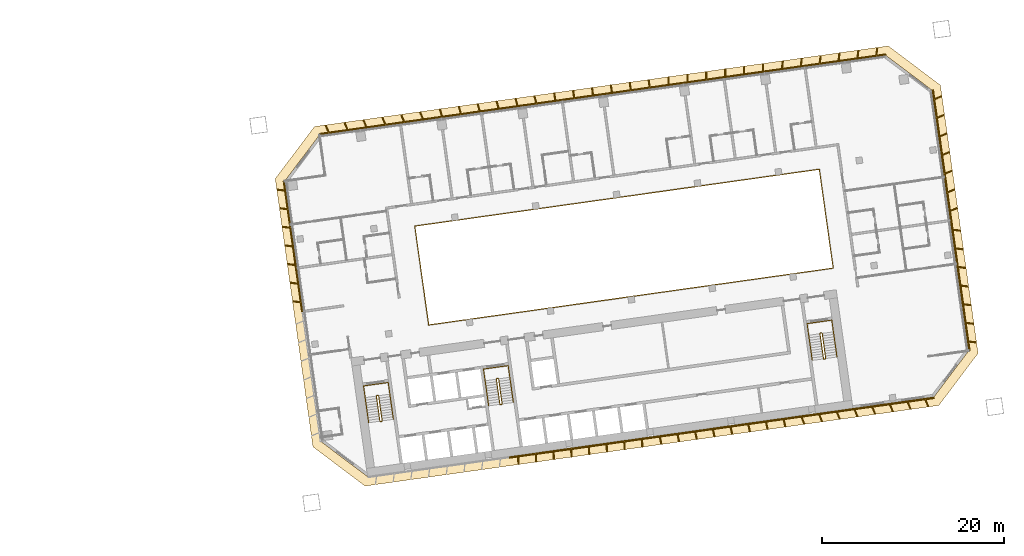
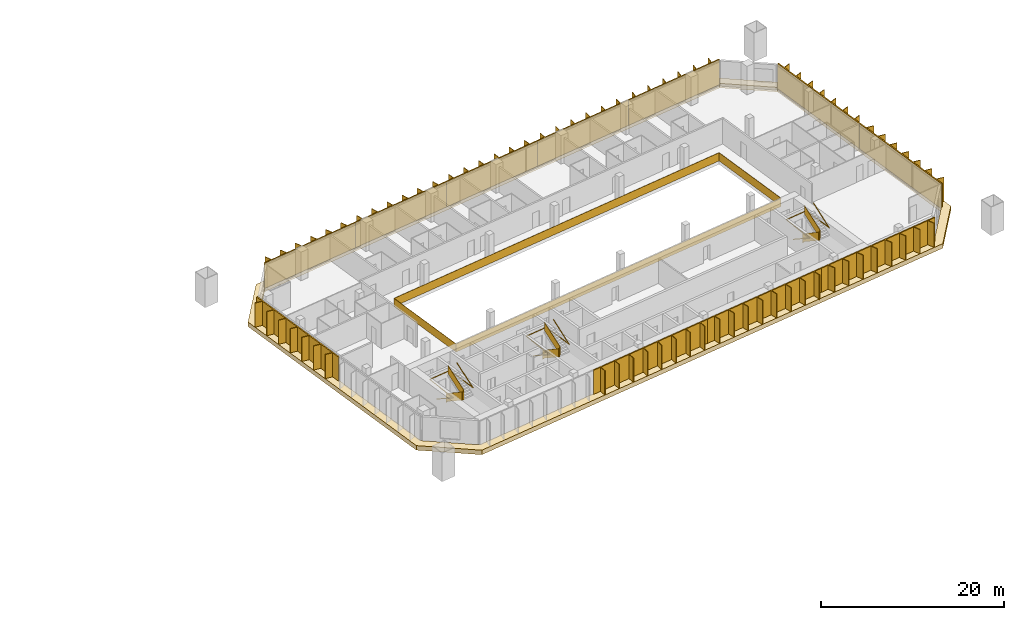
# One storey, part 24 of 24: 11 shading devices, 7 railings, 1 covering.
"""IFC4 building model written with IfcOpenShell, lengths in metres."""

import ifcopenshell
import ifcopenshell.guid

model = None  # the IFC model being written
_history = None  # IfcOwnerHistory: only IFC2X3 demands one
_inside = {}  # id of a spatial element -> (the spatial element, [elements in it])
_under = {}  # id of a project, library or spatial element -> (it, [spatial elements below it])
_declared = {}  # id of a project -> (the project, [libraries it declares])
_typed = {}  # id of a type object -> (the type object, [elements of that type])
_made_of = {}  # id of a material, layer set ... -> (it, [elements and type objects made of it])


def new_model(schema):
    """Start an empty IFC model of exactly this schema.

    Asked for "IFC4X3", IfcOpenShell would pick the latest addendum, in which some entities
    have other attributes; the version numbers below select the first issue.
    IFC2X3 requires an IfcOwnerHistory on every rooted entity: one is made here for all.
    """
    global model, _history
    if schema == "IFC4X3":
        model = ifcopenshell.file(schema_version=(4, 3, 0, 0))
    else:
        model = ifcopenshell.file(schema=schema)
    _inside.clear()
    _under.clear()
    _declared.clear()
    _typed.clear()
    _made_of.clear()
    _history = None
    if model.schema == "IFC2X3":
        org = make("IfcOrganization", Name="unknown")
        user = make(
            "IfcPersonAndOrganization",
            ThePerson=make("IfcPerson", FamilyName="unknown"),
            TheOrganization=org,
        )
        app = make(
            "IfcApplication",
            ApplicationDeveloper=org,
            Version="unknown",
            ApplicationFullName="unknown",
            ApplicationIdentifier="unknown",
        )
        _history = make(
            "IfcOwnerHistory",
            OwningUser=user,
            OwningApplication=app,
            ChangeAction="ADDED",
            CreationDate=0,
        )
    return model


def make(cls, **values):
    """One entity of the class cls with the attributes given. An attribute that is None is left unset."""
    return model.create_entity(
        cls, **{name: value for name, value in values.items() if value is not None}
    )


def rooted(cls, **values):
    """An entity with a GlobalId (a new one), such as an element, a storey or a relation."""
    return make(cls, GlobalId=ifcopenshell.guid.new(), OwnerHistory=_history, **values)


def si_unit(unit_type, name, prefix=None):
    """IfcSIUnit, for example si_unit("LENGTHUNIT", "METRE", prefix="MILLI")."""
    return make("IfcSIUnit", UnitType=unit_type, Prefix=prefix, Name=name)


def assignment(units):
    """IfcUnitAssignment: the units of a project."""
    return None if units is None else make("IfcUnitAssignment", Units=units)


def point(xyz):
    """IfcCartesianPoint."""
    return None if xyz is None else make("IfcCartesianPoint", Coordinates=xyz)


def direction(xyz):
    """IfcDirection."""
    return None if xyz is None else make("IfcDirection", DirectionRatios=xyz)


def frame(location, z_axis=None, x_axis=None):
    """IfcAxis2Placement3D, a coordinate frame: its origin and axes. An axis left out is left unset."""
    return make(
        "IfcAxis2Placement3D",
        Location=point(location),
        Axis=direction(z_axis),
        RefDirection=direction(x_axis),
    )


def frame_2d(location, x_axis=None):
    """IfcAxis2Placement2D, a coordinate frame in the plane: its origin and x axis."""
    return make(
        "IfcAxis2Placement2D", Location=point(location), RefDirection=direction(x_axis)
    )


def origin():
    """The frame at (0, 0, 0) with its axes left unset."""
    return frame((0.0, 0.0, 0.0))


def origin_2d():
    """The frame at (0, 0) in the plane with its x axis left unset."""
    return frame_2d((0.0, 0.0))


def place(relative_to, where):
    """IfcLocalPlacement: puts the frame where relative to a parent placement (None: the world)."""
    return make(
        "IfcLocalPlacement", PlacementRelTo=relative_to, RelativePlacement=where
    )


def context(
    kind, dimensions, precision=None, world=None, true_north=None, identifier=None
):
    """IfcGeometricRepresentationContext, for example the 3D "Model" context."""
    return make(
        "IfcGeometricRepresentationContext",
        ContextIdentifier=identifier,
        ContextType=kind,
        CoordinateSpaceDimension=dimensions,
        Precision=precision,
        WorldCoordinateSystem=world,
        TrueNorth=true_north,
    )


def subcontext(parent, identifier, kind, view, scale=None):
    """IfcGeometricRepresentationSubContext, for example "Body" below "Model"."""
    return make(
        "IfcGeometricRepresentationSubContext",
        ContextIdentifier=identifier,
        ContextType=kind,
        ParentContext=parent,
        TargetScale=scale,
        TargetView=view,
    )


def project(units=None, contexts=None):
    """IfcProject with its units and contexts."""
    return rooted(
        "IfcProject",
        Name="project",
        RepresentationContexts=contexts,
        UnitsInContext=assignment(units),
    )


def spatial(cls, under=None, at=None, **own):
    """A site, building, storey or space (cls), placed at a placement, below another one or the project."""
    s = rooted(cls, ObjectPlacement=at, **own)
    if under is not None:
        _under.setdefault(under.id(), (under, []))[1].append(s)
    return s


def polyline(points):
    """IfcPolyline through the points."""
    return make("IfcPolyline", Points=[point(p) for p in points])


def profile(cls, at=None, kind="AREA", **sizes):
    """A parametric profile (cls). Its sizes go by their IFC names, for example OverallWidth=200.0."""
    return make(cls, ProfileType=kind, Position=at, **sizes)


def rectangle(**sizes):
    """IfcRectangleProfileDef."""
    return profile("IfcRectangleProfileDef", **sizes)


def outline(outer, holes=None, kind="AREA"):
    """IfcArbitraryClosedProfileDef: a profile drawn as a closed curve; with holes, ...WithVoids."""
    if holes is None:
        return make("IfcArbitraryClosedProfileDef", ProfileType=kind, OuterCurve=outer)
    return make(
        "IfcArbitraryProfileDefWithVoids",
        ProfileType=kind,
        OuterCurve=outer,
        InnerCurves=holes,
    )


def extrude(swept, where, along, depth):
    """IfcExtrudedAreaSolid: the profile swept, set in the frame where, extruded along a direction by depth."""
    return make(
        "IfcExtrudedAreaSolid",
        SweptArea=swept,
        Position=where,
        ExtrudedDirection=direction(along),
        Depth=depth,
    )


def shape(context_of_items, identifier, shape_type, items):
    """IfcShapeRepresentation: the items that make up one representation, for example the "Body"."""
    return make(
        "IfcShapeRepresentation",
        ContextOfItems=context_of_items,
        RepresentationIdentifier=identifier,
        RepresentationType=shape_type,
        Items=items,
    )


def material(Name=None, Category=None):
    """IfcMaterial."""
    return make("IfcMaterial", Name=Name, Category=Category)


def layer(
    of_material, thickness, ventilated=None, Name=None, Category=None, Priority=None
):
    """IfcMaterialLayer: one layer of a wall or slab, of a material (None: an air gap)."""
    return make(
        "IfcMaterialLayer",
        Material=of_material,
        LayerThickness=thickness,
        IsVentilated=ventilated,
        Name=Name,
        Category=Category,
        Priority=Priority,
    )


def layer_set(layers, Name=None):
    """IfcMaterialLayerSet."""
    return make("IfcMaterialLayerSet", MaterialLayers=layers, LayerSetName=Name)


def made_of(thing, what):
    """Note that an element or type object is made of a material, layer set ...; save() writes the relation."""
    if what is not None:
        _made_of.setdefault(what.id(), (what, []))[1].append(thing)
    return thing


def type_object(cls, material=None, **own):
    """A type object (cls), such as IfcWallType, which elements share."""
    return made_of(rooted(cls, **own), material)


def element(
    cls,
    number,
    at=None,
    inside=None,
    cuts=None,
    type_object=None,
    material=None,
    context=None,
    identifier="Body",
    shape_type=None,
    held_by="IfcProductDefinitionShape",
    body=None,
    shapes=None,
    **own,
):
    """One element of the class cls, such as IfcWall. Its Tag is "e" and its number.

    at: its placement. inside: the storey or other place that contains it. cuts: it is an
    opening in that element (IfcRelVoidsElement). A single representation is given by context,
    identifier, shape_type and body (its items); several are given by shapes. held_by: the class
    of the entity that holds the representations. save() writes the other relations.
    """
    e = rooted(cls, Tag="e%d" % number, ObjectPlacement=at, **own)
    if body is not None:
        shapes = [shape(context, identifier, shape_type, body)]
    if shapes is not None:
        e.Representation = make(held_by, Representations=shapes)
    if inside is not None:
        _inside.setdefault(inside.id(), (inside, []))[1].append(e)
    if cuts is not None:
        rooted(
            "IfcRelVoidsElement", RelatingBuildingElement=cuts, RelatedOpeningElement=e
        )
    if type_object is not None:
        _typed.setdefault(type_object.id(), (type_object, []))[1].append(e)
    return made_of(e, material)


def aggregate(whole, parts):
    """IfcRelAggregates: a whole, such as a stair, and the parts it consists of."""
    return rooted("IfcRelAggregates", RelatingObject=whole, RelatedObjects=parts)


def save(model, path):
    """Write the relations noted so far, then the file.

    IfcRelAggregates (storeys below a building ...), IfcRelContainedInSpatialStructure (elements
    in a storey), IfcRelDefinesByType, IfcRelAssociatesMaterial and IfcRelDeclares: one each for
    every whole, place, type object, material and project.
    """
    for whole, parts in _under.values():
        aggregate(whole, parts)
    for where, things in _inside.values():
        rooted(
            "IfcRelContainedInSpatialStructure",
            RelatedElements=things,
            RelatingStructure=where,
        )
    for kind, things in _typed.values():
        rooted("IfcRelDefinesByType", RelatedObjects=things, RelatingType=kind)
    for what, things in _made_of.values():
        rooted("IfcRelAssociatesMaterial", RelatedObjects=things, RelatingMaterial=what)
    for by, libraries in _declared.values():
        rooted("IfcRelDeclares", RelatingContext=by, RelatedDefinitions=libraries)
    model.write(path)


model = new_model("IFC4")

# Units and contexts
model_context = context("Model", 3, precision=1e-05, world=origin(), true_north=direction((0.0, 1.0)))
body_context = subcontext(model_context, "Body", "Model", "MODEL_VIEW")
ifc_project = project(units=[si_unit("LENGTHUNIT", "METRE"), si_unit("AREAUNIT", "SQUARE_METRE"), si_unit("VOLUMEUNIT", "CUBIC_METRE"), si_unit("PLANEANGLEUNIT", "RADIAN"), si_unit("MASSUNIT", "GRAM", prefix="KILO")], contexts=[model_context])

# Site, building, storey
site_placement = place(None, origin())
site = spatial("IfcSite", under=ifc_project, at=site_placement, CompositionType="ELEMENT")
building_placement = place(site_placement, origin())
building = spatial("IfcBuilding", under=site, at=building_placement, Name="Mirante Cascada Hotel Towers", CompositionType="ELEMENT")
storey_placement = place(building_placement, frame((0.0, 0.0, 47.1)))
storey = spatial("IfcBuildingStorey", under=building, at=storey_placement, Name="L08", CompositionType="ELEMENT", Elevation=47.1)

# Railing
ifc_material_1 = material(Name="Toughened glass with stainless steel handrail", Category="steel")
railing_type_1 = type_object("IfcRailingType", Name="Atrium guard 1100 glass balustrade", PredefinedType="GUARDRAIL", material=ifc_material_1)
railing_1_placement = place(storey_placement, frame((43.8418, -3.4881, 0.0)))
element("IfcRailing", 1, at=railing_1_placement, inside=storey, type_object=railing_type_1, Name="GUARD 2-L08-1", PredefinedType="GUARDRAIL", context=body_context, shape_type="SweptSolid", body=[
    extrude(rectangle(XDim=0.048, YDim=0.048, at=origin_2d()), frame((0.0, 0.0, 1.076), z_axis=(0.9902681, 0.1391732, 0.0), x_axis=(-0.1391732, 0.9902681, 0.0)), (0.0, 0.0, 1.0), 45.0),
    extrude(rectangle(XDim=0.02, YDim=1.052, at=origin_2d()), frame((0.0, 0.0, 0.526), z_axis=(0.9902681, 0.1391732, 0.0), x_axis=(-0.1391732, 0.9902681, 0.0)), (0.0, 0.0, 1.0), 45.0),
    extrude(rectangle(XDim=0.048, YDim=0.048, at=origin_2d()), frame((44.5621, 6.2628, 1.076), z_axis=(-0.1391721, 0.9902682, 0.0), x_axis=(-0.9902682, -0.1391721, 0.0)), (0.0, 0.0, 1.0), 11.0001),
    extrude(rectangle(XDim=0.02, YDim=1.052, at=origin_2d()), frame((44.5621, 6.2628, 0.526), z_axis=(-0.1391721, 0.9902682, 0.0), x_axis=(-0.9902682, -0.1391721, 0.0)), (0.0, 0.0, 1.0), 11.0001),
    extrude(rectangle(XDim=0.048, YDim=0.048, at=origin_2d()), frame((43.0312, 17.1558, 1.076), z_axis=(-0.9902681, -0.1391732, 0.0), x_axis=(0.1391732, -0.9902681, 0.0)), (0.0, 0.0, 1.0), 45.0),
    extrude(rectangle(XDim=0.02, YDim=1.052, at=origin_2d()), frame((43.0312, 17.1558, 0.526), z_axis=(-0.9902681, -0.1391732, 0.0), x_axis=(0.1391732, -0.9902681, 0.0)), (0.0, 0.0, 1.0), 45.0),
    extrude(rectangle(XDim=0.048, YDim=0.048, at=origin_2d()), frame((-1.5309, 10.893, 1.076), z_axis=(0.1391721, -0.9902682, 0.0), x_axis=(0.9902682, 0.1391721, 0.0)), (0.0, 0.0, 1.0), 11.0001),
    extrude(rectangle(XDim=0.02, YDim=1.052, at=origin_2d()), frame((-1.5309, 10.893, 0.526), z_axis=(0.1391721, -0.9902682, 0.0), x_axis=(0.9902682, 0.1391721, 0.0)), (0.0, 0.0, 1.0), 11.0001),
])

# Covering
ifc_material_2 = material(Name="Precast concrete C40/50 white", Category="concrete")
ifc_layer = layer(ifc_material_2, 0.6)
ifc_layer_set = layer_set([ifc_layer], Name="Precast concrete SUNSHADE band 1000x600")
covering_type = type_object("IfcCoveringType", Name="Precast concrete SUNSHADE band 1000x600", PredefinedType="CLADDING", material=ifc_layer_set)
covering_placement = place(storey_placement, frame((0.0, 0.0, -0.45)))
element("IfcCovering", 2, at=covering_placement, inside=storey, type_object=covering_type, Name="Precast concrete SUNSHADE band T2 L08", PredefinedType="CLADDING", context=body_context, shape_type="SweptSolid", body=[
    extrude(outline(polyline([(26.9341, 12.6299), (31.2626, 18.374), (94.4698, 27.2572), (100.2139, 22.9287), (104.3652, -6.6094), (100.0367, -12.3535), (36.8295, -21.2367), (31.0854, -16.9082), (26.9341, 12.6299)]), holes=[polyline([(103.3173, -6.3384), (99.2813, 22.3794), (94.1988, 26.2093), (31.8119, 17.4414), (27.982, 12.3589), (32.018, -16.3589), (37.1005, -20.1888), (99.4874, -11.4209), (103.3173, -6.3384)])]), origin(), (0.0, 0.0, 1.0), 0.6),
])

# Railings
ifc_material_3 = material(Name="Painted steel", Category="steel")
railing_type_2 = type_object("IfcRailingType", Name="Stair guard 1100 steel balustrade", PredefinedType="GUARDRAIL", material=ifc_material_3)
railing_2_placement = place(storey_placement, frame((38.2663, -11.2395, 0.0)))
element("IfcRailing", 3, at=railing_2_placement, inside=storey, type_object=railing_type_2, Name="L08 ST2-A stair guard 1", PredefinedType="GUARDRAIL", context=body_context, shape_type="SweptSolid", body=[
    extrude(rectangle(XDim=0.048, YDim=0.048, at=origin_2d()), frame((0.0, 0.0, 1.076), z_axis=(-0.9903326, -0.1387133, 0.0), x_axis=(0.1387133, -0.9903326, 0.0)), (0.0, 0.0, 1.0), 0.1499),
    extrude(rectangle(XDim=0.02, YDim=1.052, at=origin_2d()), frame((0.0, 0.0, 0.526), z_axis=(-0.9903326, -0.1387133, 0.0), x_axis=(0.1387133, -0.9903326, 0.0)), (0.0, 0.0, 1.0), 0.1499),
    extrude(rectangle(XDim=0.048, YDim=0.048, at=origin_2d()), frame((-0.1485, -0.0208, 1.076), z_axis=(-0.6020331, -0.7984711, 0.0), x_axis=(0.7984711, -0.6020331, 0.0)), (0.0, 0.9253398, 0.3791387), 0.1866),
    extrude(rectangle(XDim=0.02, YDim=1.052, at=origin_2d()), frame((-0.1485, -0.0208, 0.526), z_axis=(-0.6020331, -0.7984711, 0.0), x_axis=(0.7984711, -0.6020331, 0.0)), (0.0, 0.9253398, 0.3791387), 0.1866),
    extrude(rectangle(XDim=0.048, YDim=0.048, at=origin_2d()), frame((-0.1911, -0.0773, 1.2487), z_axis=(0.139176, -0.9902677, 0.0), x_axis=(0.9902677, 0.139176, 0.0)), (0.0, 0.5250212, 0.8510891), 3.29),
    extrude(rectangle(XDim=0.02, YDim=1.052, at=origin_2d()), frame((-0.1911, -0.0773, 0.6987), z_axis=(0.139176, -0.9902677, 0.0), x_axis=(0.9902677, 0.139176, 0.0)), (0.0, 0.5250212, 0.8510891), 3.29),
    extrude(rectangle(XDim=0.048, YDim=0.048, at=origin_2d()), frame((0.1986, -2.8501, 2.976), z_axis=(0.9944948, -0.1047858, 0.0), x_axis=(0.1047858, 0.9944948, 0.0)), (0.0, 0.0, 1.0), 0.2061),
    extrude(rectangle(XDim=0.02, YDim=1.052, at=origin_2d()), frame((0.1986, -2.8501, 2.426), z_axis=(0.9944948, -0.1047858, 0.0), x_axis=(0.1047858, 0.9944948, 0.0)), (0.0, 0.0, 1.0), 0.2061),
    extrude(rectangle(XDim=0.048, YDim=0.048, at=origin_2d()), frame((0.4036, -2.8717, 2.976), z_axis=(-0.9902408, -0.1393672, 0.0), x_axis=(0.1393672, -0.9902408, 0.0)), (0.0, 0.0, 1.0), 0.15),
    extrude(rectangle(XDim=0.02, YDim=1.052, at=origin_2d()), frame((0.4036, -2.8717, 2.426), z_axis=(-0.9902408, -0.1393672, 0.0), x_axis=(0.1393672, -0.9902408, 0.0)), (0.0, 0.0, 1.0), 0.15),
    extrude(rectangle(XDim=0.048, YDim=0.048, at=origin_2d()), frame((0.2551, -2.8926, 2.976), z_axis=(0.9270311, 0.3749843, 0.0), x_axis=(-0.3749843, 0.9270311, 0.0)), (0.0, 0.6421903, 0.7665452), 0.2689),
    extrude(rectangle(XDim=0.02, YDim=1.052, at=origin_2d()), frame((0.2551, -2.8926, 2.426), z_axis=(0.9270311, 0.3749843, 0.0), x_axis=(-0.3749843, 0.9270311, 0.0)), (0.0, 0.6421903, 0.7665452), 0.2689),
    extrude(rectangle(XDim=0.048, YDim=0.048, at=origin_2d()), frame((0.4462, -2.8153, 3.1487), z_axis=(-0.139176, 0.9902677, 0.0), x_axis=(-0.9902677, -0.139176, 0.0)), (0.0, 0.5250212, 0.8510891), 3.29),
    extrude(rectangle(XDim=0.02, YDim=1.052, at=origin_2d()), frame((0.4462, -2.8153, 2.5987), z_axis=(-0.139176, 0.9902677, 0.0), x_axis=(-0.9902677, -0.139176, 0.0)), (0.0, 0.5250212, 0.8510891), 3.29),
])
railing_3_placement = place(storey_placement, frame((51.4864, -9.3815, 0.0)))
element("IfcRailing", 4, at=railing_3_placement, inside=storey, type_object=railing_type_2, Name="L08 ST2-B stair guard 1", PredefinedType="GUARDRAIL", context=body_context, shape_type="SweptSolid", body=[
    extrude(rectangle(XDim=0.048, YDim=0.048, at=origin_2d()), frame((0.0, 0.0, 1.076), z_axis=(-0.9902408, -0.1393672, 0.0), x_axis=(0.1393672, -0.9902408, 0.0)), (0.0, 0.0, 1.0), 0.15),
    extrude(rectangle(XDim=0.02, YDim=1.052, at=origin_2d()), frame((0.0, 0.0, 0.526), z_axis=(-0.9902408, -0.1393672, 0.0), x_axis=(0.1393672, -0.9902408, 0.0)), (0.0, 0.0, 1.0), 0.15),
    extrude(rectangle(XDim=0.048, YDim=0.048, at=origin_2d()), frame((-0.1485, -0.0209, 1.076), z_axis=(-0.6020331, -0.7984711, 0.0), x_axis=(0.7984711, -0.6020331, 0.0)), (0.0, 0.9253398, 0.3791387), 0.1866),
    extrude(rectangle(XDim=0.02, YDim=1.052, at=origin_2d()), frame((-0.1485, -0.0209, 0.526), z_axis=(-0.6020331, -0.7984711, 0.0), x_axis=(0.7984711, -0.6020331, 0.0)), (0.0, 0.9253398, 0.3791387), 0.1866),
    extrude(rectangle(XDim=0.048, YDim=0.048, at=origin_2d()), frame((-0.1911, -0.0774, 1.2487), z_axis=(0.139181, -0.990267, 0.0), x_axis=(0.990267, 0.139181, 0.0)), (0.0, 0.5250347, 0.8510808), 3.2899),
    extrude(rectangle(XDim=0.02, YDim=1.052, at=origin_2d()), frame((-0.1911, -0.0774, 0.6987), z_axis=(0.139181, -0.990267, 0.0), x_axis=(0.990267, 0.139181, 0.0)), (0.0, 0.5250347, 0.8510808), 3.2899),
    extrude(rectangle(XDim=0.048, YDim=0.048, at=origin_2d()), frame((0.1986, -2.8501, 2.976), z_axis=(0.9944441, -0.1052656, 0.0), x_axis=(0.1052656, 0.9944441, 0.0)), (0.0, 0.0, 1.0), 0.2061),
    extrude(rectangle(XDim=0.02, YDim=1.052, at=origin_2d()), frame((0.1986, -2.8501, 2.426), z_axis=(0.9944441, -0.1052656, 0.0), x_axis=(0.1052656, 0.9944441, 0.0)), (0.0, 0.0, 1.0), 0.2061),
    extrude(rectangle(XDim=0.048, YDim=0.048, at=origin_2d()), frame((0.4036, -2.8718, 2.976), z_axis=(-0.9902408, -0.1393672, 0.0), x_axis=(0.1393672, -0.9902408, 0.0)), (0.0, 0.0, 1.0), 0.15),
    extrude(rectangle(XDim=0.02, YDim=1.052, at=origin_2d()), frame((0.4036, -2.8718, 2.426), z_axis=(-0.9902408, -0.1393672, 0.0), x_axis=(0.1393672, -0.9902408, 0.0)), (0.0, 0.0, 1.0), 0.15),
    extrude(rectangle(XDim=0.048, YDim=0.048, at=origin_2d()), frame((0.2551, -2.8927, 2.976), z_axis=(0.9268624, 0.3754011, 0.0), x_axis=(-0.3754011, 0.9268624, 0.0)), (0.0, 0.6421217, 0.7666028), 0.269),
    extrude(rectangle(XDim=0.02, YDim=1.052, at=origin_2d()), frame((0.2551, -2.8927, 2.426), z_axis=(0.9268624, 0.3754011, 0.0), x_axis=(-0.3754011, 0.9268624, 0.0)), (0.0, 0.6421217, 0.7666028), 0.269),
    extrude(rectangle(XDim=0.048, YDim=0.048, at=origin_2d()), frame((0.4462, -2.8153, 3.1487), z_axis=(-0.139181, 0.990267, 0.0), x_axis=(-0.990267, -0.139181, 0.0)), (0.0, 0.5250347, 0.8510808), 3.2899),
    extrude(rectangle(XDim=0.02, YDim=1.052, at=origin_2d()), frame((0.4462, -2.8153, 2.5987), z_axis=(-0.139181, 0.990267, 0.0), x_axis=(-0.990267, -0.139181, 0.0)), (0.0, 0.5250347, 0.8510808), 3.2899),
])
railing_4_placement = place(storey_placement, frame((87.1361, -4.3713, 0.0)))
element("IfcRailing", 5, at=railing_4_placement, inside=storey, type_object=railing_type_2, Name="L08 ST2-C stair guard 1", PredefinedType="GUARDRAIL", context=body_context, shape_type="SweptSolid", body=[
    extrude(rectangle(XDim=0.048, YDim=0.048, at=origin_2d()), frame((0.0, 0.0, 1.076), z_axis=(-0.9902537, -0.1392753, 0.0), x_axis=(0.1392753, -0.9902537, 0.0)), (0.0, 0.0, 1.0), 0.1501),
    extrude(rectangle(XDim=0.02, YDim=1.052, at=origin_2d()), frame((0.0, 0.0, 0.526), z_axis=(-0.9902537, -0.1392753, 0.0), x_axis=(0.1392753, -0.9902537, 0.0)), (0.0, 0.0, 1.0), 0.1501),
    extrude(rectangle(XDim=0.048, YDim=0.048, at=origin_2d()), frame((-0.1486, -0.0209, 1.076), z_axis=(-0.601811, -0.7986386, 0.0), x_axis=(0.7986386, -0.601811, 0.0)), (0.0, 0.925603, 0.3784959), 0.1866),
    extrude(rectangle(XDim=0.02, YDim=1.052, at=origin_2d()), frame((-0.1486, -0.0209, 0.526), z_axis=(-0.601811, -0.7986386, 0.0), x_axis=(0.7986386, -0.601811, 0.0)), (0.0, 0.925603, 0.3784959), 0.1866),
    extrude(rectangle(XDim=0.048, YDim=0.048, at=origin_2d()), frame((-0.1911, -0.0773, 1.2487), z_axis=(0.139176, -0.9902677, 0.0), x_axis=(0.9902677, 0.139176, 0.0)), (0.0, 0.5250212, 0.8510891), 3.29),
    extrude(rectangle(XDim=0.02, YDim=1.052, at=origin_2d()), frame((-0.1911, -0.0773, 0.6987), z_axis=(0.139176, -0.9902677, 0.0), x_axis=(0.9902677, 0.139176, 0.0)), (0.0, 0.5250212, 0.8510891), 3.29),
    extrude(rectangle(XDim=0.048, YDim=0.048, at=origin_2d()), frame((0.1986, -2.8501, 2.976), z_axis=(0.9944441, -0.1052656, 0.0), x_axis=(0.1052656, 0.9944441, 0.0)), (0.0, 0.0, 1.0), 0.2061),
    extrude(rectangle(XDim=0.02, YDim=1.052, at=origin_2d()), frame((0.1986, -2.8501, 2.426), z_axis=(0.9944441, -0.1052656, 0.0), x_axis=(0.1052656, 0.9944441, 0.0)), (0.0, 0.0, 1.0), 0.2061),
    extrude(rectangle(XDim=0.048, YDim=0.048, at=origin_2d()), frame((0.4036, -2.8718, 2.976), z_axis=(-0.9903454, -0.1386217, 0.0), x_axis=(0.1386217, -0.9903454, 0.0)), (0.0, 0.0, 1.0), 0.15),
    extrude(rectangle(XDim=0.02, YDim=1.052, at=origin_2d()), frame((0.4036, -2.8718, 2.426), z_axis=(-0.9903454, -0.1386217, 0.0), x_axis=(0.1386217, -0.9903454, 0.0)), (0.0, 0.0, 1.0), 0.15),
    extrude(rectangle(XDim=0.048, YDim=0.048, at=origin_2d()), frame((0.255, -2.8926, 2.976), z_axis=(0.9270311, 0.3749843, 0.0), x_axis=(-0.3749843, 0.9270311, 0.0)), (0.0, 0.6421903, 0.7665452), 0.2689),
    extrude(rectangle(XDim=0.02, YDim=1.052, at=origin_2d()), frame((0.255, -2.8926, 2.426), z_axis=(0.9270311, 0.3749843, 0.0), x_axis=(-0.3749843, 0.9270311, 0.0)), (0.0, 0.6421903, 0.7665452), 0.2689),
    extrude(rectangle(XDim=0.048, YDim=0.048, at=origin_2d()), frame((0.4461, -2.8153, 3.1487), z_axis=(-0.139176, 0.9902677, 0.0), x_axis=(-0.9902677, -0.139176, 0.0)), (0.0, 0.5250212, 0.8510891), 3.29),
    extrude(rectangle(XDim=0.02, YDim=1.052, at=origin_2d()), frame((0.4461, -2.8153, 2.5987), z_axis=(-0.139176, 0.9902677, 0.0), x_axis=(-0.9902677, -0.139176, 0.0)), (0.0, 0.5250212, 0.8510891), 3.29),
])
ifc_material_4 = material(Name="Painted steel", Category="steel")
railing_type_3 = type_object("IfcRailingType", Name="Stair handrail 900 steel tube", PredefinedType="HANDRAIL", material=ifc_material_4)
railing_5_placement = place(storey_placement, frame((36.8374, -11.4908, 0.1727)))
element("IfcRailing", 6, at=railing_5_placement, inside=storey, type_object=railing_type_3, Name="L08 ST2-A stair handrail 1", PredefinedType="HANDRAIL", context=body_context, shape_type="SweptSolid", body=[
    extrude(rectangle(XDim=0.048, YDim=0.048, at=origin_2d()), frame((0.0, 0.0, 0.876), z_axis=(0.139181, -0.990267, 0.0), x_axis=(0.990267, 0.139181, 0.0)), (0.0, 0.5250347, 0.8510808), 3.2899),
    extrude(rectangle(XDim=0.048, YDim=0.048, at=origin_2d()), frame((0.3897, -2.7727, 2.6033), z_axis=(-0.1391707, 0.9902684, 0.0), x_axis=(-0.9902684, -0.1391707, 0.0)), (0.0, 0.0420846, 0.999114), 4.1036),
    extrude(rectangle(XDim=0.048, YDim=0.048, at=origin_2d()), frame((-0.1809, 1.2874, 2.776), z_axis=(0.9902691, 0.1391657, 0.0), x_axis=(-0.1391657, 0.9902691, 0.0)), (0.0, 0.0, 1.0), 2.75),
    extrude(rectangle(XDim=0.048, YDim=0.048, at=origin_2d()), frame((2.5423, 1.6701, 2.776), z_axis=(0.1391707, -0.9902684, 0.0), x_axis=(0.9902684, 0.1391707, 0.0)), (0.0, 0.0, 1.0), 4.1),
    extrude(rectangle(XDim=0.048, YDim=0.048, at=origin_2d()), frame((3.1129, -2.39, 2.776), z_axis=(-0.139181, 0.990267, 0.0), x_axis=(-0.990267, -0.139181, 0.0)), (0.0, 0.5250347, 0.8510808), 3.2899),
])
railing_6_placement = place(storey_placement, frame((50.0575, -9.6328, 0.1727)))
element("IfcRailing", 7, at=railing_6_placement, inside=storey, type_object=railing_type_3, Name="L08 ST2-B stair handrail 1", PredefinedType="HANDRAIL", context=body_context, shape_type="SweptSolid", body=[
    extrude(rectangle(XDim=0.048, YDim=0.048, at=origin_2d()), frame((0.0, 0.0, 0.876), z_axis=(0.139176, -0.9902677, 0.0), x_axis=(0.9902677, 0.139176, 0.0)), (0.0, 0.5250212, 0.8510891), 3.29),
    extrude(rectangle(XDim=0.048, YDim=0.048, at=origin_2d()), frame((0.3897, -2.7728, 2.6033), z_axis=(-0.1391707, 0.9902684, 0.0), x_axis=(-0.9902684, -0.1391707, 0.0)), (0.0, 0.0420846, 0.999114), 4.1036),
    extrude(rectangle(XDim=0.048, YDim=0.048, at=origin_2d()), frame((-0.1809, 1.2873, 2.776), z_axis=(0.9902641, 0.1392013, 0.0), x_axis=(-0.1392013, 0.9902641, 0.0)), (0.0, 0.0, 1.0), 2.75),
    extrude(rectangle(XDim=0.048, YDim=0.048, at=origin_2d()), frame((2.5423, 1.6701, 2.776), z_axis=(0.1391707, -0.9902684, 0.0), x_axis=(0.9902684, 0.1391707, 0.0)), (0.0, 0.0, 1.0), 4.1),
    extrude(rectangle(XDim=0.048, YDim=0.048, at=origin_2d()), frame((3.1129, -2.39, 2.776), z_axis=(-0.139181, 0.990267, 0.0), x_axis=(-0.990267, -0.139181, 0.0)), (0.0, 0.5250347, 0.8510808), 3.2899),
])
railing_7_placement = place(storey_placement, frame((85.7071, -4.6226, 0.1727)))
element("IfcRailing", 8, at=railing_7_placement, inside=storey, type_object=railing_type_3, Name="L08 ST2-C stair handrail 1", PredefinedType="HANDRAIL", context=body_context, shape_type="SweptSolid", body=[
    extrude(rectangle(XDim=0.048, YDim=0.048, at=origin_2d()), frame((0.0, 0.0, 0.876), z_axis=(0.139181, -0.990267, 0.0), x_axis=(0.990267, 0.139181, 0.0)), (0.0, 0.5250347, 0.8510808), 3.2899),
    extrude(rectangle(XDim=0.048, YDim=0.048, at=origin_2d()), frame((0.3897, -2.7727, 2.6033), z_axis=(-0.1391707, 0.9902684, 0.0), x_axis=(-0.9902684, -0.1391707, 0.0)), (0.0, 0.0420846, 0.999114), 4.1036),
    extrude(rectangle(XDim=0.048, YDim=0.048, at=origin_2d()), frame((-0.1809, 1.2874, 2.776), z_axis=(0.9902691, 0.1391657, 0.0), x_axis=(-0.1391657, 0.9902691, 0.0)), (0.0, 0.0, 1.0), 2.75),
    extrude(rectangle(XDim=0.048, YDim=0.048, at=origin_2d()), frame((2.5423, 1.6701, 2.776), z_axis=(0.1391947, -0.990265, 0.0), x_axis=(0.990265, 0.1391947, 0.0)), (0.0, 0.0, 1.0), 4.1),
    extrude(rectangle(XDim=0.048, YDim=0.048, at=origin_2d()), frame((3.113, -2.39, 2.776), z_axis=(-0.139181, 0.990267, 0.0), x_axis=(-0.990267, -0.139181, 0.0)), (0.0, 0.5250347, 0.8510808), 3.2899),
])

# Shading devices
ifc_material_5 = material(Name="White precast concrete C50/60 fin", Category="concrete")
shading_device_type = type_object("IfcShadingDeviceType", Name="Vertical fin set 4500x900", PredefinedType="USERDEFINED", material=ifc_material_5)
shading_device_1_placement = place(storey_placement, origin())
element("IfcShadingDevice", 9, at=shading_device_1_placement, inside=storey, type_object=shading_device_type, Name="FIN T2 L08 front 1", ObjectType="FIN", PredefinedType="USERDEFINED", context=body_context, shape_type="SweptSolid", body=[
    extrude(outline(polyline([(82.8967, 25.5893), (82.7946, 24.758), (84.7922, 25.0387), (84.8968, 25.8913), (84.9762, 25.8815), (84.8742, 25.0503), (86.8717, 25.331), (86.9764, 26.1835), (87.0558, 26.1738), (86.9537, 25.3425), (88.9513, 25.6233), (89.056, 26.4758), (89.1354, 26.4661), (89.0333, 25.6348), (91.0308, 25.9155), (91.1355, 26.7681), (91.2149, 26.7583), (91.1129, 25.9271), (93.1104, 26.2078), (93.2151, 27.0603), (93.2945, 27.0506), (93.1924, 26.2193), (94.1779, 26.3578), (94.1988, 26.2093), (81.7214, 24.4557), (81.7006, 24.6042), (82.7126, 24.7465), (82.8173, 25.599), (82.8967, 25.5893)])), origin(), (0.0, 0.0, 1.0), 3.35),
])
shading_device_2_placement = place(storey_placement, origin())
element("IfcShadingDevice", 10, at=shading_device_2_placement, inside=storey, type_object=shading_device_type, Name="FIN T2 L08 front 2", ObjectType="FIN", PredefinedType="USERDEFINED", context=body_context, shape_type="SweptSolid", body=[
    extrude(outline(polyline([(70.3021, 23.8476), (70.3094, 23.0033), (72.3091, 23.2844), (72.3016, 24.1392), (72.3816, 24.1399), (72.389, 23.2956), (74.3886, 23.5766), (74.3812, 24.4314), (74.4612, 24.4321), (74.4686, 23.5878), (76.4682, 23.8689), (76.4608, 24.7237), (76.5407, 24.7244), (76.5481, 23.8801), (78.5478, 24.1611), (78.5403, 25.0159), (78.6203, 25.0166), (78.6277, 24.1724), (80.6273, 24.4534), (80.6199, 25.3082), (80.6999, 25.3089), (80.7072, 24.4646), (81.7006, 24.6042), (81.7214, 24.4557), (69.2441, 22.7021), (69.2232, 22.8507), (70.2295, 22.9921), (70.2221, 23.8469), (70.3021, 23.8476)])), origin(), (0.0, 0.0, 1.0), 3.35),
])
shading_device_3_placement = place(storey_placement, origin())
element("IfcShadingDevice", 11, at=shading_device_3_placement, inside=storey, type_object=shading_device_type, Name="FIN T2 L08 front 3", ObjectType="FIN", PredefinedType="USERDEFINED", context=body_context, shape_type="SweptSolid", body=[
    extrude(outline(polyline([(57.7069, 22.0905), (57.8252, 21.2488), (59.8255, 21.5299), (59.7072, 22.3716), (59.7865, 22.3828), (59.9048, 21.541), (61.9051, 21.8222), (61.7868, 22.6639), (61.866, 22.675), (61.9843, 21.8333), (63.9847, 22.1144), (63.8664, 22.9562), (63.9456, 22.9673), (64.0639, 22.1256), (66.0642, 22.4067), (65.9459, 23.2484), (66.0251, 23.2596), (66.1434, 22.4178), (68.1438, 22.699), (68.0255, 23.5407), (68.1047, 23.5518), (68.223, 22.7101), (69.2232, 22.8507), (69.2441, 22.7021), (56.7667, 20.9485), (56.7458, 21.0971), (57.746, 21.2376), (57.6277, 22.0794), (57.7069, 22.0905)])), origin(), (0.0, 0.0, 1.0), 3.35),
])
shading_device_4_placement = place(storey_placement, origin())
element("IfcShadingDevice", 12, at=shading_device_4_placement, inside=storey, type_object=shading_device_type, Name="FIN T2 L08 front 4", ObjectType="FIN", PredefinedType="USERDEFINED", context=body_context, shape_type="SweptSolid", body=[
    extrude(outline(polyline([(45.1132, 20.3181), (45.3416, 19.4943), (47.3413, 19.7754), (47.1157, 20.589), (47.1928, 20.6103), (47.4212, 19.7866), (49.4209, 20.0676), (49.1952, 20.8812), (49.2723, 20.9026), (49.5008, 20.0789), (51.5004, 20.3599), (51.2748, 21.1735), (51.3519, 21.1949), (51.5803, 20.3711), (53.58, 20.6521), (53.3544, 21.4657), (53.4314, 21.4871), (53.6599, 20.6634), (55.6595, 20.9444), (55.4339, 21.758), (55.511, 21.7794), (55.7394, 20.9556), (56.7458, 21.0971), (56.7667, 20.9485), (44.2893, 19.195), (44.2684, 19.3435), (45.2617, 19.4831), (45.0361, 20.2967), (45.1132, 20.3181)])), origin(), (0.0, 0.0, 1.0), 3.35),
])
shading_device_5_placement = place(storey_placement, origin())
element("IfcShadingDevice", 13, at=shading_device_5_placement, inside=storey, type_object=shading_device_type, Name="FIN T2 L08 front 5", ObjectType="FIN", PredefinedType="USERDEFINED", context=body_context, shape_type="SweptSolid", body=[
    extrude(outline(polyline([(32.5229, 18.5306), (32.8586, 17.7399), (34.8561, 18.0207), (34.5289, 18.7916), (34.6025, 18.8229), (34.9381, 18.0322), (36.9357, 18.3129), (36.6084, 19.0839), (36.6821, 19.1151), (37.0177, 18.3245), (39.0152, 18.6052), (38.688, 19.3761), (38.7616, 19.4074), (39.0973, 18.6167), (41.0948, 18.8975), (40.7676, 19.6684), (40.8412, 19.6997), (41.1768, 18.909), (43.1744, 19.1897), (42.8471, 19.9607), (42.9208, 19.9919), (43.2564, 19.2013), (44.2684, 19.3435), (44.2893, 19.195), (31.8119, 17.4414), (31.791, 17.5899), (32.7765, 17.7284), (32.4493, 18.4994), (32.5229, 18.5306)])), origin(), (0.0, 0.0, 1.0), 3.35),
])
shading_device_6_placement = place(storey_placement, origin())
element("IfcShadingDevice", 14, at=shading_device_6_placement, inside=storey, type_object=shading_device_type, Name="FIN T2 L08 inner 1", ObjectType="FIN", PredefinedType="USERDEFINED", context=body_context, shape_type="SweptSolid", body=[
    extrude(outline(polyline([(28.8684, -0.8389), (29.6997, -0.941), (29.4229, 1.0283), (28.5704, 1.133), (28.5801, 1.2124), (29.4114, 1.1103), (29.1346, 3.0796), (28.2821, 3.1842), (28.2918, 3.2636), (29.1231, 3.1616), (28.8464, 5.1308), (27.9938, 5.2355), (28.0036, 5.3149), (28.8348, 5.2128), (28.5581, 7.1821), (27.7055, 7.2868), (27.7153, 7.3662), (28.5465, 7.2641), (28.2698, 9.2334), (27.4172, 9.338), (27.427, 9.4174), (28.2583, 9.3154), (27.9815, 11.2846), (27.1289, 11.3893), (27.1387, 11.4687), (27.97, 11.3667), (27.8334, 12.338), (27.982, 12.3589), (30.0, -2.0), (29.8515, -2.0209), (29.7112, -1.023), (28.8587, -0.9183), (28.8684, -0.8389)])), origin(), (0.0, 0.0, 1.0), 3.35),
])
shading_device_7_placement = place(storey_placement, origin())
element("IfcShadingDevice", 15, at=shading_device_7_placement, inside=storey, type_object=shading_device_type, Name="FIN T2 L08 outer 1", ObjectType="FIN", PredefinedType="USERDEFINED", context=body_context, shape_type="SweptSolid", body=[
    extrude(outline(polyline([(104.1606, -5.4483), (103.3293, -5.3462), (103.4659, -6.3175), (103.3173, -6.3384), (101.2993, 8.0205), (101.4478, 8.0413), (101.5881, 7.0434), (102.4406, 6.9388), (102.4309, 6.8594), (101.5996, 6.9614), (101.8764, 4.9922), (102.7289, 4.8875), (102.7192, 4.8081), (101.8879, 4.9102), (102.1647, 2.9409), (103.0172, 2.8362), (103.0075, 2.7568), (102.1762, 2.8589), (102.4529, 0.8896), (103.3055, 0.785), (103.2957, 0.7056), (102.4645, 0.8076), (102.7412, -1.1616), (103.5938, -1.2663), (103.584, -1.3457), (102.7528, -1.2436), (103.0295, -3.2129), (103.8821, -3.3176), (103.8723, -3.397), (103.041, -3.2949), (103.3178, -5.2642), (104.1704, -5.3689), (104.1606, -5.4483)])), origin(), (0.0, 0.0, 1.0), 3.35),
])
shading_device_8_placement = place(storey_placement, origin())
element("IfcShadingDevice", 16, at=shading_device_8_placement, inside=storey, type_object=shading_device_type, Name="FIN T2 L08 outer 2", ObjectType="FIN", PredefinedType="USERDEFINED", context=body_context, shape_type="SweptSolid", body=[
    extrude(outline(polyline([(102.0983, 9.3749), (101.3076, 9.0392), (101.4478, 8.0413), (101.2993, 8.0205), (99.2813, 22.3794), (99.4298, 22.4002), (99.5663, 21.4289), (100.3373, 21.7561), (100.3685, 21.6825), (99.5779, 21.3469), (99.8546, 19.3776), (100.6256, 19.7048), (100.6568, 19.6312), (99.8662, 19.2956), (100.1429, 17.3263), (100.9139, 17.6536), (100.9451, 17.5799), (100.1544, 17.2443), (100.4312, 15.2751), (101.2021, 15.6023), (101.2334, 15.5287), (100.4427, 15.193), (100.7195, 13.2238), (101.4904, 13.551), (101.5217, 13.4774), (100.731, 13.1418), (101.0078, 11.1725), (101.7787, 11.4998), (101.81, 11.4261), (101.0193, 11.0905), (101.2961, 9.1212), (102.067, 9.4485), (102.0983, 9.3749)])), origin(), (0.0, 0.0, 1.0), 3.35),
])
shading_device_9_placement = place(storey_placement, origin())
element("IfcShadingDevice", 17, at=shading_device_9_placement, inside=storey, type_object=shading_device_type, Name="FIN T2 L08 rear 2", ObjectType="FIN", PredefinedType="USERDEFINED", context=body_context, shape_type="SweptSolid", body=[
    extrude(outline(polyline([(53.6931, -18.8597), (53.6488, -18.0146), (52.7181, -18.1454), (52.6972, -17.9968), (68.2939, -15.8049), (68.3148, -15.9534), (67.3755, -16.0854), (67.4201, -16.9376), (67.3402, -16.9417), (67.2959, -16.0966), (65.4259, -16.3594), (65.4705, -17.2116), (65.3906, -17.2157), (65.3463, -16.3706), (63.4763, -16.6334), (63.5209, -17.4856), (63.441, -17.4897), (63.3967, -16.6446), (61.5267, -16.9074), (61.5713, -17.7596), (61.4914, -17.7637), (61.4472, -16.9186), (59.5771, -17.1814), (59.6217, -18.0335), (59.5419, -18.0377), (59.4976, -17.1926), (57.6275, -17.4554), (57.6722, -18.3075), (57.5923, -18.3117), (57.548, -17.4666), (55.6779, -17.7294), (55.7226, -18.5815), (55.6427, -18.5857), (55.5984, -17.7406), (53.7283, -18.0034), (53.773, -18.8555), (53.6931, -18.8597)])), origin(), (0.0, 0.0, 1.0), 3.35),
])
shading_device_10_placement = place(storey_placement, origin())
element("IfcShadingDevice", 18, at=shading_device_10_placement, inside=storey, type_object=shading_device_type, Name="FIN T2 L08 rear 3", ObjectType="FIN", PredefinedType="USERDEFINED", context=body_context, shape_type="SweptSolid", body=[
    extrude(outline(polyline([(69.4461, -16.6528), (69.2542, -15.8214), (68.3148, -15.9534), (68.2939, -15.8049), (83.8907, -13.6129), (83.9115, -13.7614), (82.9808, -13.8922), (83.1712, -14.7168), (83.0933, -14.7348), (82.9013, -13.9034), (81.0312, -14.1662), (81.2216, -14.9908), (81.1437, -15.0088), (80.9517, -14.1774), (79.0817, -14.4402), (79.272, -15.2648), (79.1941, -15.2828), (79.0021, -14.4514), (77.1321, -14.7142), (77.3224, -15.5388), (77.2445, -15.5568), (77.0525, -14.7254), (75.1825, -14.9882), (75.3729, -15.8128), (75.2949, -15.8308), (75.103, -14.9994), (73.2329, -15.2622), (73.4233, -16.0868), (73.3453, -16.1048), (73.1534, -15.2734), (71.2833, -15.5362), (71.4737, -16.3608), (71.3957, -16.3788), (71.2038, -15.5474), (69.3337, -15.8102), (69.5241, -16.6348), (69.4461, -16.6528)])), origin(), (0.0, 0.0, 1.0), 3.35),
])
shading_device_11_placement = place(storey_placement, origin())
element("IfcShadingDevice", 19, at=shading_device_11_placement, inside=storey, type_object=shading_device_type, Name="FIN T2 L08 rear 4", ObjectType="FIN", PredefinedType="USERDEFINED", context=body_context, shape_type="SweptSolid", body=[
    extrude(outline(polyline([(85.1942, -14.419), (84.8586, -13.6283), (83.9115, -13.7614), (83.8907, -13.6129), (99.4874, -11.4209), (99.5083, -11.5694), (98.5877, -11.6988), (98.915, -12.4698), (98.8413, -12.501), (98.5057, -11.7103), (96.6381, -11.9728), (96.9654, -12.7438), (96.8918, -12.775), (96.5561, -11.9843), (94.6886, -12.2468), (95.0158, -13.0178), (94.9422, -13.049), (94.6065, -12.2583), (92.739, -12.5208), (93.0662, -13.2918), (92.9926, -13.323), (92.657, -12.5323), (90.7894, -12.7948), (91.1166, -13.5657), (91.043, -13.597), (90.7074, -12.8063), (88.8398, -13.0688), (89.167, -13.8397), (89.0934, -13.871), (88.7578, -13.0803), (86.8902, -13.3428), (87.2174, -14.1137), (87.1438, -14.145), (86.8082, -13.3543), (84.9406, -13.6168), (85.2679, -14.3877), (85.1942, -14.419)])), origin(), (0.0, 0.0, 1.0), 3.35),
])

save(model, "model.ifc")
